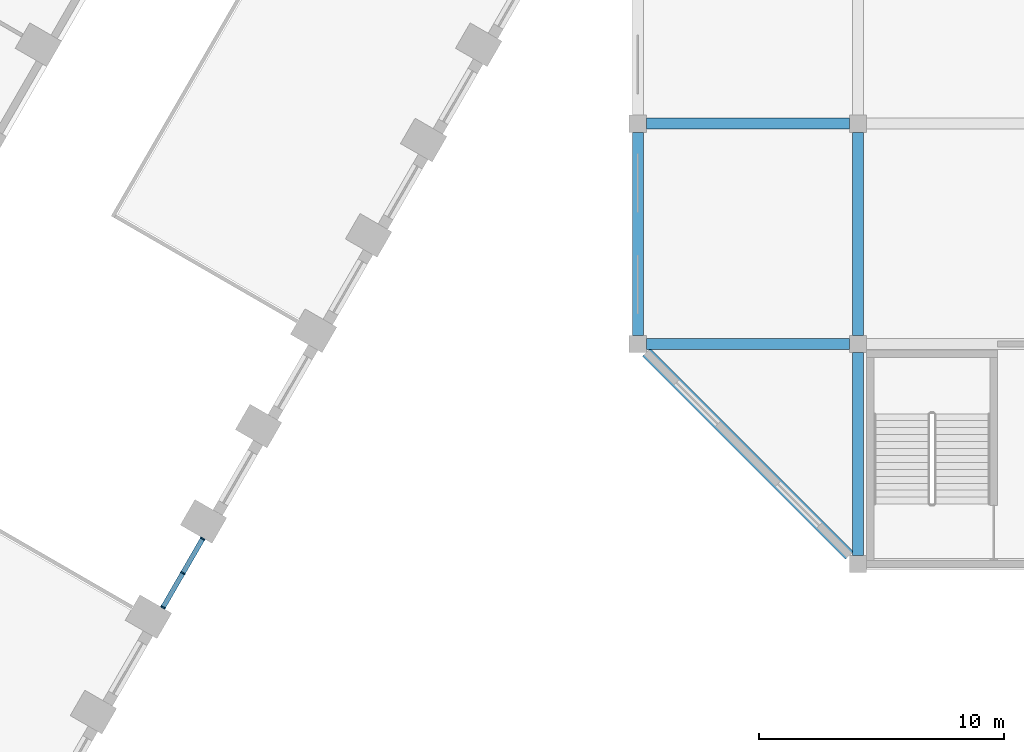
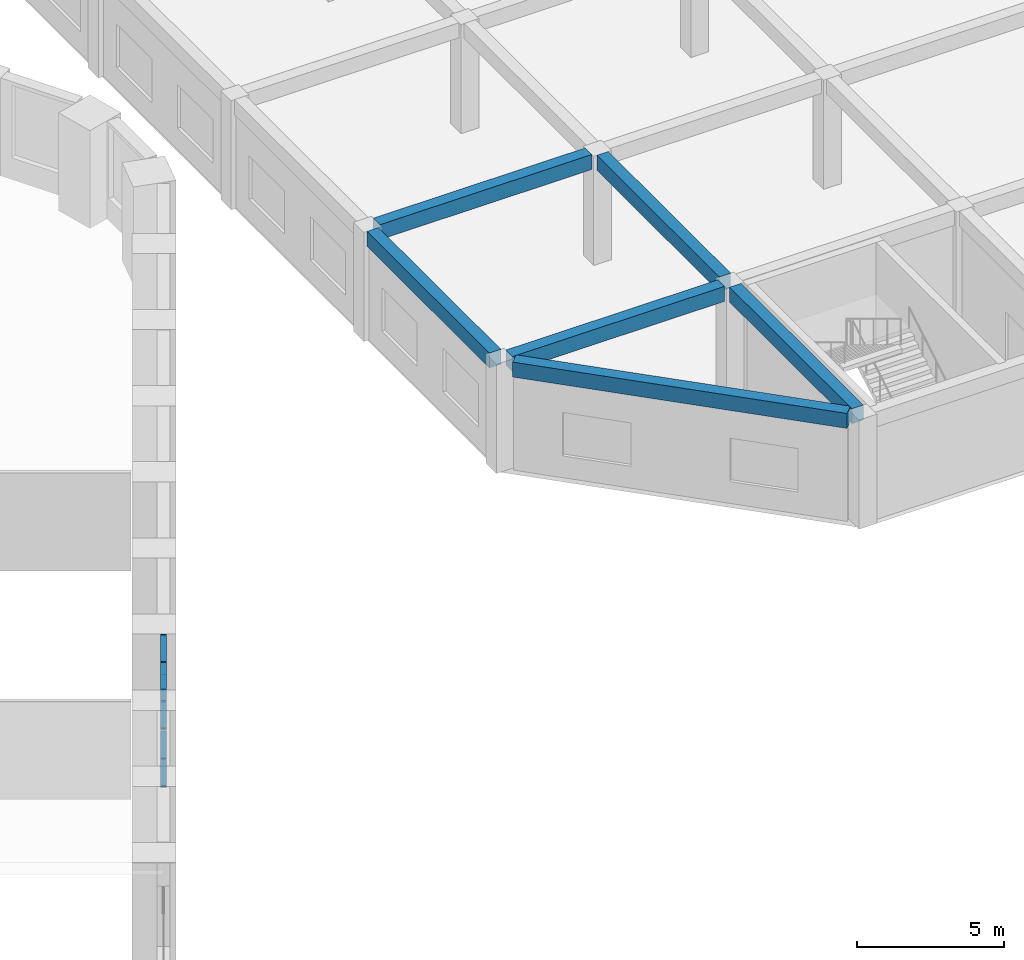
# One storey, part 5 of 42: 9 members, 6 beams, 1 element without a shape of its own.
"""IFC4 building model written with IfcOpenShell, lengths in metres."""

from ifc_helpers import new_model, si_unit, direction, frame, origin, origin_2d, place, context, subcontext, project, spatial, rectangle, extrude, material, layer, layer_set, material_profile, profile_set, type_object, element, aggregate, save


model = new_model("IFC4")

# Units and contexts
model_context = context("Model", 3, precision=1e-05, world=origin(), true_north=direction((0.0, 1.0)))
body_context = subcontext(model_context, "Body", "Model", "MODEL_VIEW")
ifc_project = project(units=[si_unit("LENGTHUNIT", "METRE"), si_unit("AREAUNIT", "SQUARE_METRE"), si_unit("VOLUMEUNIT", "CUBIC_METRE"), si_unit("PLANEANGLEUNIT", "RADIAN"), si_unit("MASSUNIT", "GRAM", prefix="KILO")], contexts=[model_context])

# Site, building, storey
site_placement = place(None, origin())
site = spatial("IfcSite", under=ifc_project, at=site_placement, CompositionType="ELEMENT")
building_placement = place(site_placement, origin())
building = spatial("IfcBuilding", under=site, at=building_placement, Name="Dhurran Vertical Campus", CompositionType="ELEMENT")
storey_placement = place(building_placement, frame((0.0, 0.0, 6.0)))
storey = spatial("IfcBuildingStorey", under=building, at=storey_placement, Name="L01", CompositionType="ELEMENT", Elevation=6.0)

# Curtain wall, members
ifc_material_1 = material(Name="Aluminium frame with solar-control glass", Category="aluminium")
ifc_layer = layer(ifc_material_1, 0.199951171875)
ifc_layer_set = layer_set([ifc_layer], Name="Aluminium frame with solar-control glass")
curtain_wall_type = type_object("IfcCurtainWallType", Name="Entrance glazing system", PredefinedType="NOTDEFINED", material=ifc_layer_set)
curtain_wall_placement = place(storey_placement, origin())
curtain_wall = element("IfcCurtainWall", 1, at=curtain_wall_placement, inside=storey, type_object=curtain_wall_type, Name="CW1 L01.18", PredefinedType="NOTDEFINED")
ifc_material_2 = material(Name="Aluminium mullion", Category="aluminium")
ifc_material_profile_1 = material_profile(ifc_material_2, rectangle(XDim=0.199951171875, YDim=0.06005859375, at=origin_2d()), Name="Entrance glazing system mullion")
ifc_profile_set_1 = profile_set([ifc_material_profile_1], Name="Aluminium mullion")
member_type_1 = type_object("IfcMemberType", Name="Entrance glazing system mullion", PredefinedType="MULLION", material=ifc_profile_set_1)
member_1_placement = place(storey_placement, frame((42.09423828125, -28.771240234375, 0.0), z_axis=(0.0, 0.0, 1.0), x_axis=(-0.866031632204, 0.499989211906, 0.0)))
member_1 = element("IfcMember", 2, at=member_1_placement, type_object=member_type_1, Name="CW1 mullion 1", PredefinedType="MULLION", context=body_context, shape_type="SweptSolid", body=[
    extrude(rectangle(XDim=0.199951171875, YDim=0.06005859375, at=origin_2d()), origin(), (0.0, 0.0, 1.0), 4.050048828125),
])
member_2_placement = place(storey_placement, frame((42.904052734375, -27.36865234375, 0.0), z_axis=(0.0, 0.0, 1.0), x_axis=(-0.866031632204, 0.499989211906, 0.0)))
member_2 = element("IfcMember", 3, at=member_2_placement, type_object=member_type_1, Name="CW1 mullion 2", PredefinedType="MULLION", context=body_context, shape_type="SweptSolid", body=[
    extrude(rectangle(XDim=0.199951171875, YDim=0.06005859375, at=origin_2d()), origin(), (0.0, 0.0, 1.0), 4.050048828125),
])
member_3_placement = place(storey_placement, frame((43.7138671875, -25.966064453125, 0.0), z_axis=(0.0, 0.0, 1.0), x_axis=(-0.866031632204, 0.499989211906, 0.0)))
member_3 = element("IfcMember", 4, at=member_3_placement, type_object=member_type_1, Name="CW1 mullion 3", PredefinedType="MULLION", context=body_context, shape_type="SweptSolid", body=[
    extrude(rectangle(XDim=0.199951171875, YDim=0.06005859375, at=origin_2d()), origin(), (0.0, 0.0, 1.0), 4.050048828125),
])
ifc_material_3 = material(Name="Aluminium transom", Category="aluminium")
ifc_material_profile_2 = material_profile(ifc_material_3, rectangle(XDim=0.199951171875, YDim=0.06005859375, at=origin_2d()), Name="Entrance glazing system transom")
ifc_profile_set_2 = profile_set([ifc_material_profile_2], Name="Aluminium transom")
member_type_2 = type_object("IfcMemberType", Name="Entrance glazing system transom", PredefinedType="USERDEFINED", material=ifc_profile_set_2)
member_4_placement = place(storey_placement, frame((42.109375, -28.745361328125, 0.030029296875), z_axis=(0.500011542666, 0.866018739521, 0.0), x_axis=(-0.866018739521, 0.500011542666, 0.0)))
member_4 = element("IfcMember", 5, at=member_4_placement, type_object=member_type_2, Name="CW1 transom 1.1", ObjectType="TRANSOM", PredefinedType="USERDEFINED", context=body_context, shape_type="SweptSolid", body=[
    extrude(rectangle(XDim=0.199951171875, YDim=0.06005859375, at=origin_2d()), origin(), (0.0, 0.0, 1.0), 1.5595703125),
])
member_5_placement = place(storey_placement, frame((42.109375, -28.745361328125, 2.39990234375), z_axis=(0.500011542666, 0.866018739521, 0.0), x_axis=(-0.866018739521, 0.500011542666, 0.0)))
member_5 = element("IfcMember", 6, at=member_5_placement, type_object=member_type_2, Name="CW1 transom 1.2", ObjectType="TRANSOM", PredefinedType="USERDEFINED", context=body_context, shape_type="SweptSolid", body=[
    extrude(rectangle(XDim=0.199951171875, YDim=0.06005859375, at=origin_2d()), origin(), (0.0, 0.0, 1.0), 1.5595703125),
])
member_6_placement = place(storey_placement, frame((42.109375, -28.745361328125, 4.02001953125), z_axis=(0.500011542666, 0.866018739521, 0.0), x_axis=(-0.866018739521, 0.500011542666, 0.0)))
member_6 = element("IfcMember", 7, at=member_6_placement, type_object=member_type_2, Name="CW1 transom 1.3", ObjectType="TRANSOM", PredefinedType="USERDEFINED", context=body_context, shape_type="SweptSolid", body=[
    extrude(rectangle(XDim=0.199951171875, YDim=0.06005859375, at=origin_2d()), origin(), (0.0, 0.0, 1.0), 1.5595703125),
])
member_7_placement = place(storey_placement, frame((42.9189453125, -27.3427734375, 0.030029296875), z_axis=(0.500011542666, 0.866018739521, 0.0), x_axis=(-0.866018739521, 0.500011542666, 0.0)))
member_7 = element("IfcMember", 8, at=member_7_placement, type_object=member_type_2, Name="CW1 transom 2.1", ObjectType="TRANSOM", PredefinedType="USERDEFINED", context=body_context, shape_type="SweptSolid", body=[
    extrude(rectangle(XDim=0.199951171875, YDim=0.06005859375, at=origin_2d()), origin(), (0.0, 0.0, 1.0), 1.5595703125),
])
member_8_placement = place(storey_placement, frame((42.9189453125, -27.3427734375, 2.39990234375), z_axis=(0.500011542666, 0.866018739521, 0.0), x_axis=(-0.866018739521, 0.500011542666, 0.0)))
member_8 = element("IfcMember", 9, at=member_8_placement, type_object=member_type_2, Name="CW1 transom 2.2", ObjectType="TRANSOM", PredefinedType="USERDEFINED", context=body_context, shape_type="SweptSolid", body=[
    extrude(rectangle(XDim=0.199951171875, YDim=0.06005859375, at=origin_2d()), origin(), (0.0, 0.0, 1.0), 1.5595703125),
])
member_9_placement = place(storey_placement, frame((42.9189453125, -27.3427734375, 4.02001953125), z_axis=(0.500011542666, 0.866018739521, 0.0), x_axis=(-0.866018739521, 0.500011542666, 0.0)))
member_9 = element("IfcMember", 10, at=member_9_placement, type_object=member_type_2, Name="CW1 transom 2.3", ObjectType="TRANSOM", PredefinedType="USERDEFINED", context=body_context, shape_type="SweptSolid", body=[
    extrude(rectangle(XDim=0.199951171875, YDim=0.06005859375, at=origin_2d()), origin(), (0.0, 0.0, 1.0), 1.5595703125),
])
aggregate(curtain_wall, [member_1, member_2, member_3, member_4, member_5, member_6, member_7, member_8, member_9])

# Beams
ifc_material_4 = material(Name="Concrete C40/50", Category="concrete")
ifc_material_profile_3 = material_profile(ifc_material_4, rectangle(XDim=0.449951171875, YDim=0.6201171875, at=origin_2d()), Name="hl-girder 450x620")
ifc_profile_set_3 = profile_set([ifc_material_profile_3], Name="Concrete C40/50")
beam_type = type_object("IfcBeamType", Name="hl-girder 450x620", PredefinedType="BEAM", material=ifc_profile_set_3)
beam_1_placement = place(storey_placement, frame((61.5, -17.64990234375, 4.2099609375), z_axis=(0.0, 1.0, 0.0), x_axis=(-1.0, 0.0, 0.0)))
element("IfcBeam", 11, at=beam_1_placement, inside=storey, type_object=beam_type, Name="Hall girder L01-001", PredefinedType="BEAM", context=body_context, shape_type="SweptSolid", body=[
    extrude(rectangle(XDim=0.449951171875, YDim=0.6201171875, at=origin_2d()), origin(), (0.0, 0.0, 1.0), 8.2998046875),
])
beam_2_placement = place(storey_placement, frame((61.85009765625, -18.35009765625, 4.2099609375), z_axis=(0.707106781187, -0.707106781187, 0.0), x_axis=(0.707106781187, 0.707106781187, 0.0)))
element("IfcBeam", 12, at=beam_2_placement, inside=storey, type_object=beam_type, Name="Hall girder L01-002", PredefinedType="BEAM", context=body_context, shape_type="SweptSolid", body=[
    extrude(rectangle(XDim=0.449951171875, YDim=0.6201171875, at=origin_2d()), origin(), (0.0, 0.0, 1.0), 11.73779296875),
])
for number, where, z_axis, x_axis, name in (
    (13, (61.85009765625, -18.0, 4.2099609375), (1.0, 0.0, 0.0), (0.0, 1.0, 0.0), "Hall girder L01-003"),
    (14, (61.85009765625, -9.0, 4.2099609375), (1.0, 0.0, 0.0), (0.0, 1.0, 0.0), "Hall girder L01-005"),
    (15, (70.5, -26.64990234375, 4.2099609375), (0.0, 1.0, 0.0), (-1.0, 0.0, 0.0), "Hall girder L01-011"),
    (16, (70.5, -17.64990234375, 4.2099609375), (0.0, 1.0, 0.0), (-1.0, 0.0, 0.0), "Hall girder L01-013"),
):
    element("IfcBeam", number, at=place(storey_placement, frame(where, z_axis=z_axis, x_axis=x_axis)), inside=storey, type_object=beam_type, Name=name, PredefinedType="BEAM", context=body_context, shape_type="SweptSolid", body=[
        extrude(rectangle(XDim=0.449951171875, YDim=0.6201171875, at=origin_2d()), origin(), (0.0, 0.0, 1.0), 8.2998046875),
    ])

save(model, "model.ifc")
